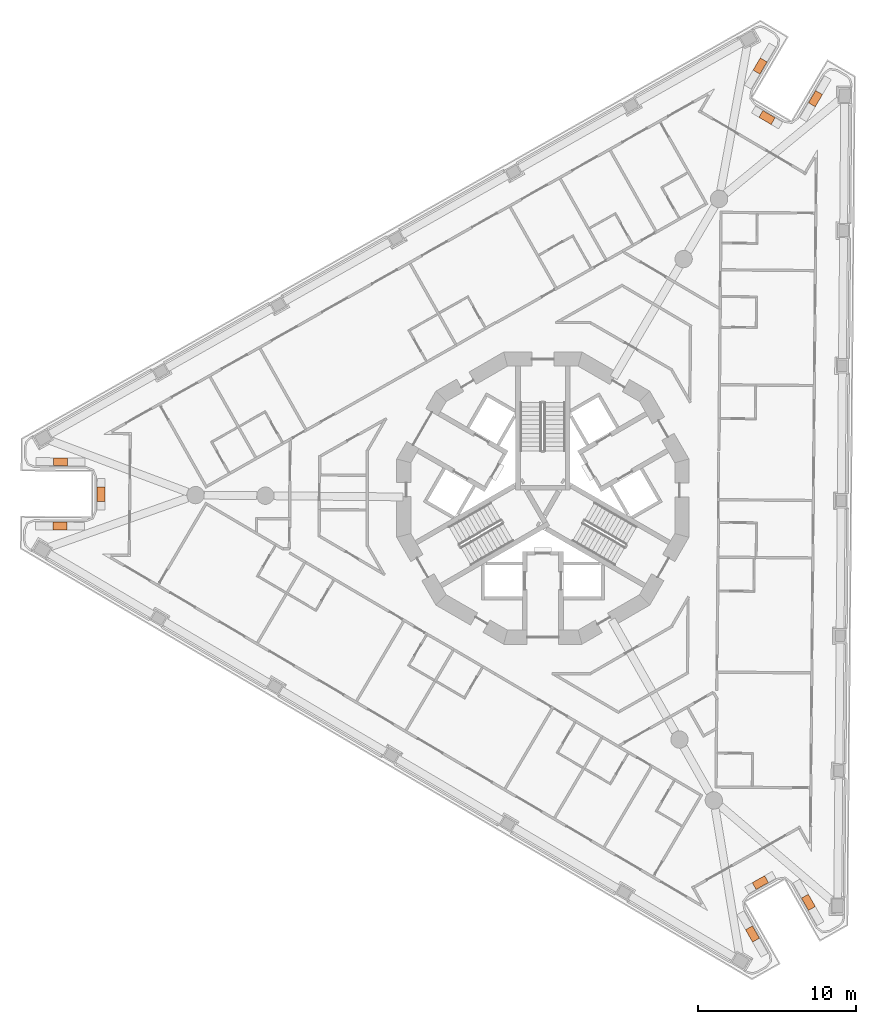
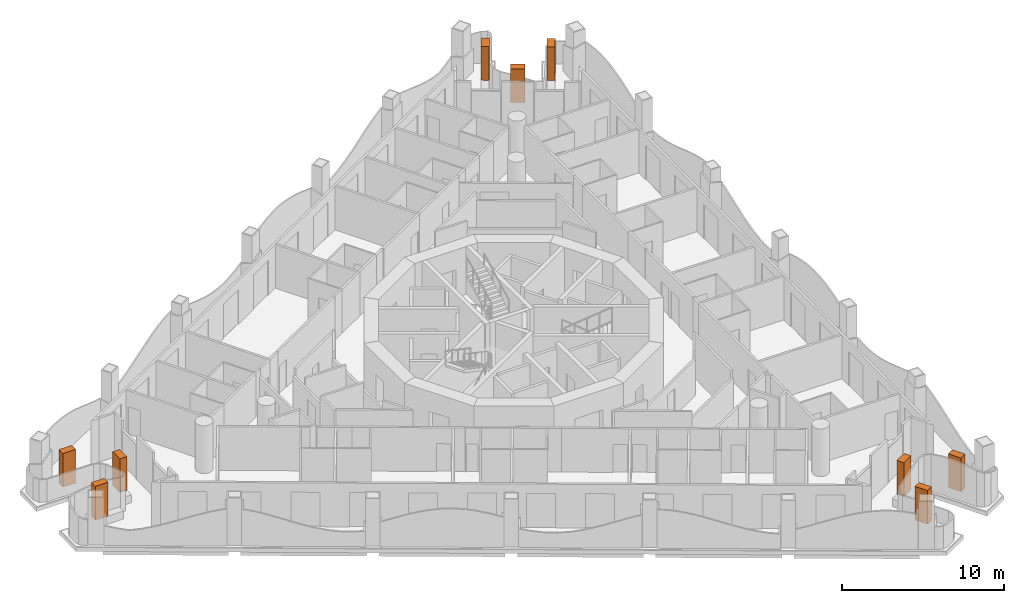
# One storey, part 17 of 17: 9 geographic elements.
"""IFC4 building model written with IfcOpenShell, lengths in metres."""

from ifc_helpers import new_model, si_unit, direction, frame, origin, origin_2d, place, context, subcontext, project, spatial, rectangle, extrude, element, save


model = new_model("IFC4")

# Units and contexts
model_context = context("Model", 3, precision=1e-05, world=origin(), true_north=direction((0.0, 1.0)))
body_context = subcontext(model_context, "Body", "Model", "MODEL_VIEW")
ifc_project = project(units=[si_unit("LENGTHUNIT", "METRE"), si_unit("AREAUNIT", "SQUARE_METRE"), si_unit("VOLUMEUNIT", "CUBIC_METRE"), si_unit("PLANEANGLEUNIT", "RADIAN"), si_unit("MASSUNIT", "GRAM", prefix="KILO")], contexts=[model_context])

# Site, building, storey
site_placement = place(None, origin())
site = spatial("IfcSite", under=ifc_project, at=site_placement, CompositionType="ELEMENT")
building_placement = place(site_placement, origin())
building = spatial("IfcBuilding", under=site, at=building_placement, Name="Trine Commons Tower", CompositionType="ELEMENT")
storey_placement = place(building_placement, frame((0.0, 0.0, 164.699951171875)))
storey = spatial("IfcBuildingStorey", under=building, at=storey_placement, Name="L42", CompositionType="ELEMENT", Elevation=164.699951171875)

# Geographic elements
for number, where, z_axis, x_axis, name in (
    (1, (49.3583984375, 60.727294921875, 0.60009765625), (0.0, 0.0, 1.0), (0.999961923064, -0.008726535498, 0.0), "Tree 1.1"),
    (2, (51.966064453125, 62.74462890625, 0.60009765625), (0.0, 0.0, 1.0), (0.008726535498, 0.999961923064, 0.0), "Tree 2.1"),
    (3, (49.393798828125, 64.80712890625, 0.60009765625), (0.0, 0.0, 1.0), (-0.999961923064, 0.008726535498, 0.0), "Tree 3.1"),
    (4, (93.78564453125, 89.9228515625, 0.60009765625), (0.0, 0.0, 1.0), (-0.507539866787, -0.861628274619, 0.0), "Tree 4.1"),
    (5, (94.228759765625, 86.65576171875, 0.60009765625), (0.0, 0.0, 1.0), (0.861628274619, -0.507539866787, 0.0), "Tree 5.1"),
    (6, (97.301025390625, 87.85205078125, 0.60009765625), (0.0, 0.0, 1.0), (0.507539866787, 0.861628274619, 0.0), "Tree 6.1"),
    (7, (96.85595703125, 36.849853515625, 0.60009765625), (0.0, 0.0, 1.0), (-0.492420521986, 0.870357414817, 0.0), "Tree 7.1"),
    (8, (93.80517578125, 38.099609375, 0.60009765625), (0.0, 0.0, 1.0), (-0.870333349571, -0.492463055085, 0.0), "Tree 8.1"),
    (9, (93.304931640625, 34.8408203125, 0.60009765625), (0.0, 0.0, 1.0), (0.492420521986, -0.870357414817, 0.0), "Tree 9.1"),
):
    element("IfcGeographicElement", number, at=place(storey_placement, frame(where, z_axis=z_axis, x_axis=x_axis)), inside=storey, Name=name, ObjectType="TREE Tabebuia rosea", PredefinedType="USERDEFINED", context=body_context, shape_type="SweptSolid", body=[
        extrude(rectangle(XDim=0.89990234375, YDim=0.5, at=origin_2d()), origin(), (0.0, 0.0, 1.0), 2.550048828125),
    ])

save(model, "model.ifc")
